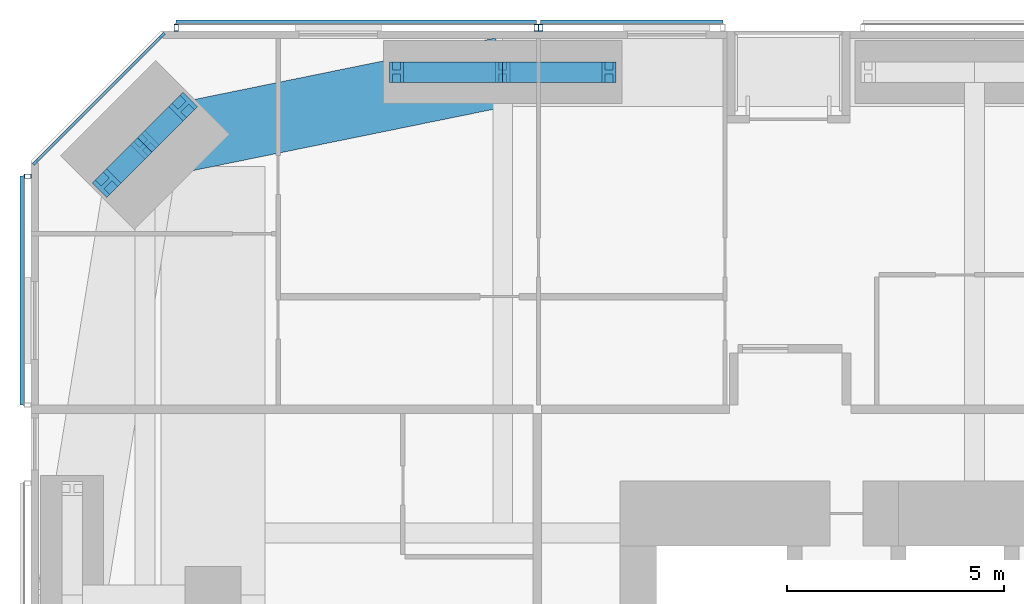
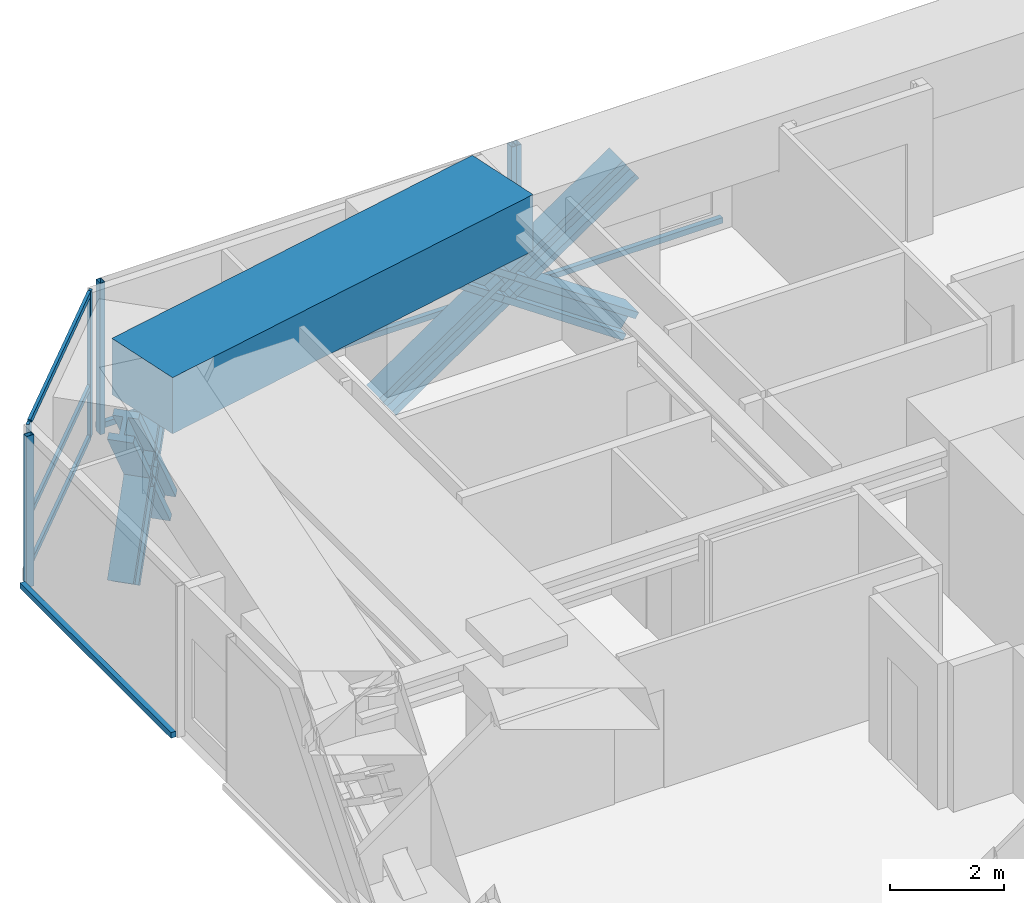
# One storey, part 12 of 25: 20 members, 1 beam, 4 elements without a shape of their own.
"""IFC4 building model written with IfcOpenShell, lengths in metres."""

from ifc_helpers import new_model, si_unit, direction, frame, origin, origin_2d, place, context, subcontext, project, spatial, rectangle, hollow_rectangle, i_section, extrude, material, material_profile, profile_set, type_object, element, aggregate, save


model = new_model("IFC4")

# Units and contexts
model_context = context("Model", 3, precision=1e-05, world=origin(), true_north=direction((0.0, 1.0)))
body_context = subcontext(model_context, "Body", "Model", "MODEL_VIEW")
ifc_project = project(units=[si_unit("LENGTHUNIT", "METRE"), si_unit("AREAUNIT", "SQUARE_METRE"), si_unit("VOLUMEUNIT", "CUBIC_METRE"), si_unit("PLANEANGLEUNIT", "RADIAN"), si_unit("MASSUNIT", "GRAM", prefix="KILO")], contexts=[model_context])

# Site, building, storey
site_placement = place(None, origin())
site = spatial("IfcSite", under=ifc_project, at=site_placement, CompositionType="ELEMENT")
building_placement = place(site_placement, origin())
building = spatial("IfcBuilding", under=site, at=building_placement, Name="Jalousie Tower", CompositionType="ELEMENT")
storey_placement = place(building_placement, frame((0.0, 0.0, 94.800048828125)))
storey = spatial("IfcBuildingStorey", under=building, at=storey_placement, Name="L25", CompositionType="ELEMENT", Elevation=94.800048828125)

# Curtain wall, members
ifc_material_1 = material(Name="Aluminium curtain wall", Category="aluminium")
curtain_wall_type_1 = type_object("IfcCurtainWallType", Name="CORNER WINDOW WALL", PredefinedType="USERDEFINED", material=ifc_material_1)
curtain_wall_1_placement = place(storey_placement, origin())
curtain_wall_1 = element("IfcCurtainWall", 1, at=curtain_wall_1_placement, inside=storey, type_object=curtain_wall_type_1, Name="Corner Window Wall L25 6", ObjectType="CORNER WINDOW WALL", PredefinedType="USERDEFINED")
ifc_material_2 = material(Name="Aluminium mullion", Category="aluminium")
ifc_material_profile_1 = material_profile(ifc_material_2, rectangle(XDim=0.06005859375, YDim=0.14990234375, at=origin_2d()), Name="MULLION 60x150")
ifc_profile_set_1 = profile_set([ifc_material_profile_1], Name="Aluminium mullion")
member_type_1 = type_object("IfcMemberType", Name="CORNER WINDOW WALL MULLION", PredefinedType="MULLION", material=ifc_profile_set_1)
member_1_placement = place(storey_placement, frame((9.030029296875, 37.891357421875, 0.0), z_axis=(0.0, 0.0, 1.0), x_axis=(0.707106781187, -0.707106781187, 0.0)))
member_1 = element("IfcMember", 2, at=member_1_placement, type_object=member_type_1, Name="CW-C mullion 1", PredefinedType="MULLION", context=body_context, shape_type="SweptSolid", body=[
    extrude(rectangle(XDim=0.06005859375, YDim=0.14990234375, at=origin_2d()), origin(), (0.0, 0.0, 1.0), 3.10986328125),
])
member_2_placement = place(storey_placement, frame((6.108642578125, 34.969970703125, 0.0), z_axis=(0.0, 0.0, 1.0), x_axis=(0.707106781187, -0.707106781187, 0.0)))
member_2 = element("IfcMember", 3, at=member_2_placement, type_object=member_type_1, Name="CW-C mullion 2", PredefinedType="MULLION", context=body_context, shape_type="SweptSolid", body=[
    extrude(rectangle(XDim=0.06005859375, YDim=0.14990234375, at=origin_2d()), origin(), (0.0, 0.0, 1.0), 3.10986328125),
])
ifc_material_3 = material(Name="Aluminium transom", Category="aluminium")
ifc_material_profile_2 = material_profile(ifc_material_3, rectangle(XDim=0.06005859375, YDim=0.1201171875, at=origin_2d()), Name="TRANSOM 60x120")
ifc_profile_set_2 = profile_set([ifc_material_profile_2], Name="Aluminium transom")
member_type_2 = type_object("IfcMemberType", Name="CORNER WINDOW WALL TRANSOM", PredefinedType="USERDEFINED", material=ifc_profile_set_2)
member_3_placement = place(storey_placement, frame((9.0087890625, 37.8701171875, 0.030029296875), z_axis=(-0.707106781187, -0.707106781187, 0.0), x_axis=(0.707106781187, -0.707106781187, 0.0)))
member_3 = element("IfcMember", 4, at=member_3_placement, type_object=member_type_2, Name="CW-C transom 1.1", ObjectType="TRANSOM", PredefinedType="USERDEFINED", context=body_context, shape_type="SweptSolid", body=[
    extrude(rectangle(XDim=0.06005859375, YDim=0.1201171875, at=origin_2d()), origin(), (0.0, 0.0, 1.0), 4.0712890625),
])
member_4_placement = place(storey_placement, frame((9.0087890625, 37.8701171875, 1.099853515625), z_axis=(-0.707106781187, -0.707106781187, 0.0), x_axis=(0.707106781187, -0.707106781187, 0.0)))
member_4 = element("IfcMember", 5, at=member_4_placement, type_object=member_type_2, Name="CW-C transom 1.2", ObjectType="TRANSOM", PredefinedType="USERDEFINED", context=body_context, shape_type="SweptSolid", body=[
    extrude(rectangle(XDim=0.06005859375, YDim=0.1201171875, at=origin_2d()), origin(), (0.0, 0.0, 1.0), 4.0712890625),
])
member_5_placement = place(storey_placement, frame((9.0087890625, 37.8701171875, 3.079833984375), z_axis=(-0.707106781187, -0.707106781187, 0.0), x_axis=(0.707106781187, -0.707106781187, 0.0)))
member_5 = element("IfcMember", 6, at=member_5_placement, type_object=member_type_2, Name="CW-C transom 1.3", ObjectType="TRANSOM", PredefinedType="USERDEFINED", context=body_context, shape_type="SweptSolid", body=[
    extrude(rectangle(XDim=0.06005859375, YDim=0.1201171875, at=origin_2d()), origin(), (0.0, 0.0, 1.0), 4.0712890625),
])
aggregate(curtain_wall_1, [member_1, member_2, member_3, member_4, member_5])

# Members
ifc_material_4 = material(Name="Steel ASTM A992 Grade 50", Category="steel")
ifc_material_profile_3 = material_profile(ifc_material_4, i_section(OverallWidth=0.472412109375, OverallDepth=0.5791015625, WebThickness=0.094970703125, FlangeThickness=0.1298828125, at=origin_2d()), Name="W14X808")
ifc_profile_set_3 = profile_set([ifc_material_profile_3], Name="Steel ASTM A992 Grade 50")
member_type_3 = type_object("IfcMemberType", Name="PERIMETER BRACE W14X808", PredefinedType="BRACE", material=ifc_profile_set_3)
for number, where, z_axis, x_axis, name in (
    (7, (14.425048828125, 37.050048828125, -0.60009765625), (0.825500916831, 0.0, 0.564400776321), (0.0, 1.0, 0.0), "Perimeter brace 11 L25 part 1"),
    (8, (16.875, 37.050048828125, 1.074951171875), (0.825500916831, 0.0, 0.564400776321), (0.0, 1.0, 0.0), "Perimeter brace 11 L25 part 2"),
    (9, (19.324951171875, 37.050048828125, -0.60009765625), (-0.825500916831, 0.0, 0.564400776321), (0.0, -1.0, 0.0), "Perimeter brace 11 L25 part 3"),
    (10, (16.875, 37.050048828125, 1.074951171875), (-0.825500916831, 0.0, 0.564400776321), (0.0, -1.0, 0.0), "Perimeter brace 11 L25 part 4"),
):
    element("IfcMember", number, at=place(storey_placement, frame(where, z_axis=z_axis, x_axis=x_axis)), inside=storey, type_object=member_type_3, Name=name, PredefinedType="BRACE", context=body_context, shape_type="SweptSolid", body=[
        extrude(i_section(OverallWidth=0.472412109375, OverallDepth=0.5791015625, WebThickness=0.094970703125, FlangeThickness=0.1298828125, at=origin_2d()), origin(), (0.0, 0.0, 1.0), 2.9677734375),
    ])
for number, where, z_axis, x_axis, name in (
    (11, (9.515380859375, 36.25244140625, -0.60009765625), (-0.422968528423, -0.422851718556, 0.801432497518), (0.70700912125, -0.707204427637, 0.0), "Perimeter brace 12 L25 part 1"),
    (12, (8.63134765625, 35.36865234375, 1.074951171875), (-0.422851718556, -0.422968528423, 0.801432497518), (0.707204427637, -0.70700912125, 0.0), "Perimeter brace 12 L25 part 2"),
    (13, (7.74755859375, 34.484619140625, -0.60009765625), (0.422851718556, 0.422968528423, 0.801432497518), (-0.707204427637, 0.70700912125, 0.0), "Perimeter brace 12 L25 part 3"),
    (14, (8.63134765625, 35.36865234375, 1.074951171875), (0.422968528423, 0.422851718556, 0.801432497518), (-0.70700912125, 0.707204427637, 0.0), "Perimeter brace 12 L25 part 4"),
):
    element("IfcMember", number, at=place(storey_placement, frame(where, z_axis=z_axis, x_axis=x_axis)), inside=storey, type_object=member_type_3, Name=name, PredefinedType="BRACE", context=body_context, shape_type="SweptSolid", body=[
        extrude(i_section(OverallWidth=0.472412109375, OverallDepth=0.5791015625, WebThickness=0.094970703125, FlangeThickness=0.1298828125, at=origin_2d()), origin(), (0.0, 0.0, 1.0), 2.090087890625),
    ])

# Beam
ifc_material_5 = material(Name="Concrete f'c 40 MPa", Category="concrete")
ifc_material_profile_4 = material_profile(ifc_material_5, rectangle(XDim=1.60009765625, YDim=1.199951171875, at=origin_2d()), Name="RC 1600x1200")
ifc_profile_set_4 = profile_set([ifc_material_profile_4], Name="Concrete f'c 40 MPa")
beam_type = type_object("IfcBeamType", Name="RC BEAM 1600x1200", PredefinedType="BEAM", material=ifc_profile_set_4)
beam_placement = place(storey_placement, frame((16.875, 37.050048828125, 2.75), z_axis=(-0.97982690954, -0.199848010602, 0.0), x_axis=(0.199848010602, -0.97982690954, 0.0)))
element("IfcBeam", 15, at=beam_placement, inside=storey, type_object=beam_type, Name="Edge band beam 11-12 under L26", PredefinedType="BEAM", context=body_context, shape_type="SweptSolid", body=[
    extrude(rectangle(XDim=1.60009765625, YDim=1.199951171875, at=origin_2d()), origin(), (0.0, 0.0, 1.0), 8.413330078125),
])

# Curtain wall, member
ifc_material_6 = material(Name="Perforated aluminium sheet", Category="aluminium")
curtain_wall_type_2 = type_object("IfcCurtainWallType", Name="SOLAR SCREEN SS-1", PredefinedType="USERDEFINED", material=ifc_material_6)
curtain_wall_2_placement = place(storey_placement, origin())
curtain_wall_2 = element("IfcCurtainWall", 16, at=curtain_wall_2_placement, inside=storey, type_object=curtain_wall_type_2, Name="Solar screen L25", ObjectType="SOLAR SCREEN SS-1", PredefinedType="USERDEFINED")
ifc_material_7 = material(Name="Steel ASTM A500 Grade C", Category="steel")
ifc_material_profile_5 = material_profile(ifc_material_7, hollow_rectangle(XDim=0.1015625, YDim=0.15234375, WallThickness=0.00634765625, at=origin_2d()), Name="HSS6X4X1/4")
ifc_profile_set_5 = profile_set([ifc_material_profile_5], Name="Steel ASTM A500 Grade C")
member_type_4 = type_object("IfcMemberType", Name="SOLAR SCREEN SS-1 MULLION", PredefinedType="MULLION", material=ifc_profile_set_5)
member_6_placement = place(storey_placement, frame((17.75, 38.0712890625, -0.1201171875), z_axis=(0.0, 0.0, 1.0), x_axis=(-1.0, 0.0, 0.0)))
member_6 = element("IfcMember", 17, at=member_6_placement, type_object=member_type_4, Name="SS1 post 2", PredefinedType="MULLION", context=body_context, shape_type="SweptSolid", body=[
    extrude(hollow_rectangle(XDim=0.1015625, YDim=0.15234375, WallThickness=0.00634765625, at=origin_2d()), origin(), (0.0, 0.0, 1.0), 3.22998046875),
])

# Curtain wall, members
curtain_wall_3_placement = place(storey_placement, origin())
curtain_wall_3 = element("IfcCurtainWall", 18, at=curtain_wall_3_placement, inside=storey, type_object=curtain_wall_type_2, Name="Solar screen L25", ObjectType="SOLAR SCREEN SS-1", PredefinedType="USERDEFINED")
member_7_placement = place(storey_placement, frame((17.64990234375, 38.0712890625, -0.1201171875), z_axis=(0.0, 0.0, 1.0), x_axis=(-1.0, 0.0, 0.0)))
member_7 = element("IfcMember", 19, at=member_7_placement, type_object=member_type_4, Name="SS1 post 1", PredefinedType="MULLION", context=body_context, shape_type="SweptSolid", body=[
    extrude(hollow_rectangle(XDim=0.1015625, YDim=0.15234375, WallThickness=0.00634765625, at=origin_2d()), origin(), (0.0, 0.0, 1.0), 3.22998046875),
])
member_8_placement = place(storey_placement, frame((9.351318359375, 38.0712890625, -0.1201171875), z_axis=(0.0, 0.0, 1.0), x_axis=(-1.0, 0.0, 0.0)))
member_8 = element("IfcMember", 20, at=member_8_placement, type_object=member_type_4, Name="SS1 post 2", PredefinedType="MULLION", context=body_context, shape_type="SweptSolid", body=[
    extrude(hollow_rectangle(XDim=0.1015625, YDim=0.15234375, WallThickness=0.00634765625, at=origin_2d()), origin(), (0.0, 0.0, 1.0), 3.22998046875),
])

# Curtain wall, member
curtain_wall_4_placement = place(storey_placement, origin())
curtain_wall_4 = element("IfcCurtainWall", 21, at=curtain_wall_4_placement, inside=storey, type_object=curtain_wall_type_2, Name="Solar screen L25", ObjectType="SOLAR SCREEN SS-1", PredefinedType="USERDEFINED")
member_9_placement = place(storey_placement, frame((5.9287109375, 34.648681640625, -0.1201171875), z_axis=(0.0, 0.0, 1.0), x_axis=(0.0, -1.0, 0.0)))
member_9 = element("IfcMember", 22, at=member_9_placement, type_object=member_type_4, Name="SS1 post 1", PredefinedType="MULLION", context=body_context, shape_type="SweptSolid", body=[
    extrude(hollow_rectangle(XDim=0.1015625, YDim=0.15234375, WallThickness=0.00634765625, at=origin_2d()), origin(), (0.0, 0.0, 1.0), 3.22998046875),
])

# Member
ifc_material_8 = material(Name="Extruded aluminium screen rail", Category="aluminium")
ifc_material_profile_6 = material_profile(ifc_material_8, rectangle(XDim=0.1015625, YDim=0.1201171875, at=origin_2d()), Name="RAIL 102x120")
ifc_profile_set_6 = profile_set([ifc_material_profile_6], Name="Extruded aluminium screen rail")
member_type_5 = type_object("IfcMemberType", Name="SOLAR SCREEN SS-1 TRANSOM", PredefinedType="USERDEFINED", material=ifc_profile_set_6)
member_10_placement = place(storey_placement, frame((21.949951171875, 38.1982421875, -0.06005859375), z_axis=(-1.0, 0.0, 0.0), x_axis=(0.0, -1.0, 0.0)))
member_10 = element("IfcMember", 23, at=member_10_placement, type_object=member_type_5, Name="SS1 rail", ObjectType="TRANSOM", PredefinedType="USERDEFINED", context=body_context, shape_type="SweptSolid", body=[
    extrude(rectangle(XDim=0.1015625, YDim=0.1201171875, at=origin_2d()), origin(), (0.0, 0.0, 1.0), 4.199951171875),
])

aggregate(curtain_wall_2, [member_6, member_10])

member_11_placement = place(storey_placement, frame((17.64990234375, 38.1982421875, -0.06005859375), z_axis=(-1.0, 0.0, 0.0), x_axis=(0.0, -1.0, 0.0)))
member_11 = element("IfcMember", 24, at=member_11_placement, type_object=member_type_5, Name="SS1 rail", ObjectType="TRANSOM", PredefinedType="USERDEFINED", context=body_context, shape_type="SweptSolid", body=[
    extrude(rectangle(XDim=0.1015625, YDim=0.1201171875, at=origin_2d()), origin(), (0.0, 0.0, 1.0), 8.298583984375),
])

aggregate(curtain_wall_3, [member_7, member_8, member_11])

member_12_placement = place(storey_placement, frame((5.8017578125, 34.648681640625, -0.06005859375), z_axis=(0.0, -1.0, 0.0), x_axis=(1.0, 0.0, 0.0)))
member_12 = element("IfcMember", 25, at=member_12_placement, type_object=member_type_5, Name="SS1 rail", ObjectType="TRANSOM", PredefinedType="USERDEFINED", context=body_context, shape_type="SweptSolid", body=[
    extrude(rectangle(XDim=0.1015625, YDim=0.1201171875, at=origin_2d()), origin(), (0.0, 0.0, 1.0), 5.273681640625),
])

aggregate(curtain_wall_4, [member_9, member_12])

save(model, "model.ifc")
